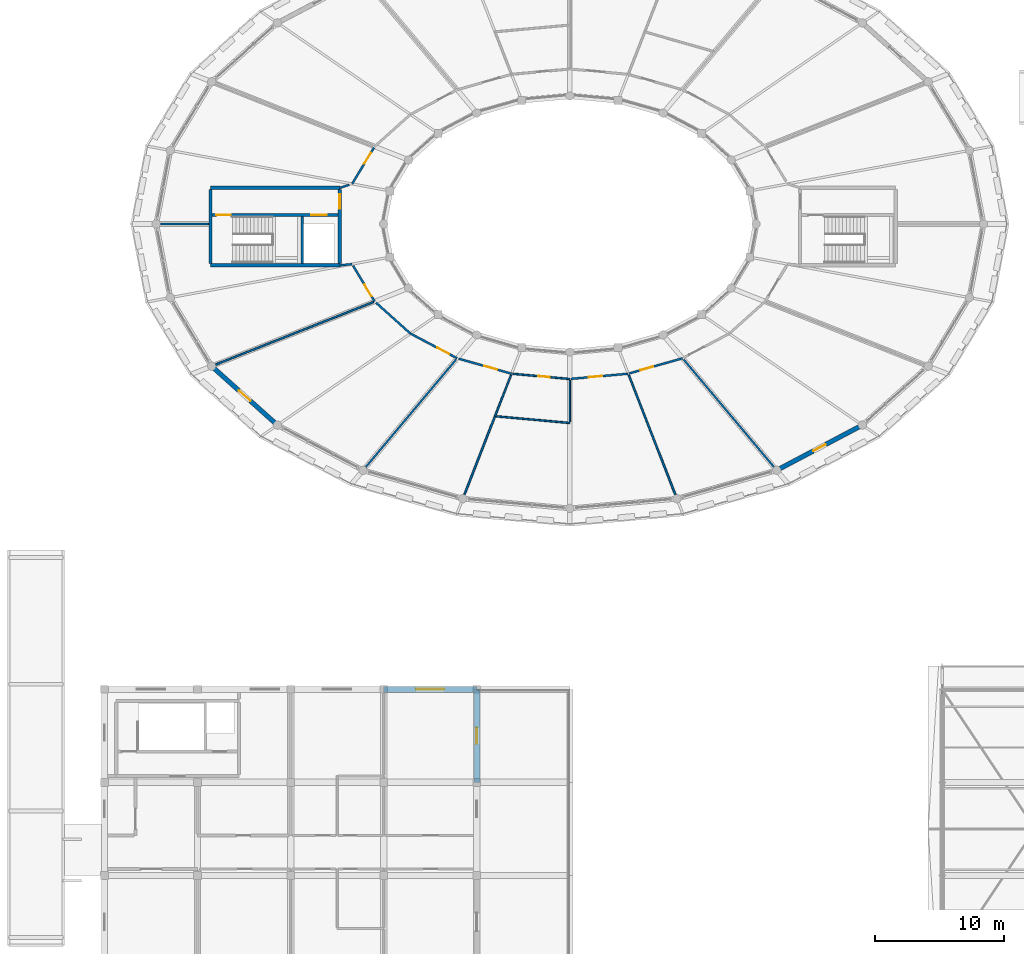
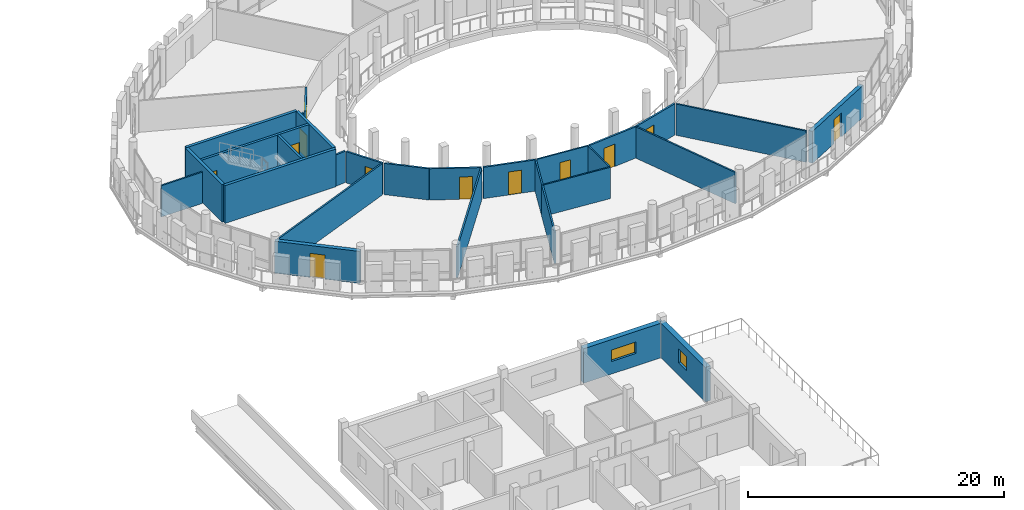
# One storey, part 76 of 93: 29 walls, 12 doors, 2 windows, 14 openings.
"""IFC4 building model written with IfcOpenShell, lengths in metres."""

from ifc_helpers import new_model, si_unit, direction, frame, frame_2d, origin, place, context, subcontext, project, spatial, rectangle, extrude, material, layer, layer_set, type_object, element, fill, save


model = new_model("IFC4")

# Units and contexts
model_context = context("Model", 3, precision=1e-05, world=origin(), true_north=direction((0.0, 1.0)))
body_context = subcontext(model_context, "Body", "Model", "MODEL_VIEW")
ifc_project = project(units=[si_unit("LENGTHUNIT", "METRE"), si_unit("AREAUNIT", "SQUARE_METRE"), si_unit("VOLUMEUNIT", "CUBIC_METRE"), si_unit("PLANEANGLEUNIT", "RADIAN"), si_unit("MASSUNIT", "GRAM", prefix="KILO")], contexts=[model_context])

# Site, building, storey
site_placement = place(None, origin())
site = spatial("IfcSite", under=ifc_project, at=site_placement, CompositionType="ELEMENT")
building_placement = place(site_placement, origin())
building = spatial("IfcBuilding", under=site, at=building_placement, Name="Zornivar Specialist Clinic", CompositionType="ELEMENT")
storey_placement = place(building_placement, frame((0.0, 0.0, 8.39990234375)))
storey = spatial("IfcBuildingStorey", under=building, at=storey_placement, Name="L02", CompositionType="ELEMENT", Elevation=8.39990234375)

# Wall, opening, door
ifc_material_1 = material(Name="Masonry Drum Limestone Portal Wall", Category="masonry")
ifc_layer_1 = layer(ifc_material_1, 0.35009765625)
ifc_layer_set_1 = layer_set([ifc_layer_1], Name="Masonry Drum Limestone Portal Wall")
wall_type_1 = type_object("IfcWallType", Name="EW-DRUM-350", PredefinedType="SOLIDWALL", material=ifc_layer_set_1)
wall_1_placement = place(storey_placement, frame((65.886962890625, 46.60009765625, 0.0), z_axis=(0.0, 0.0, 1.0), x_axis=(0.744835335723, -0.667248321585, 0.0)))
wall_1 = element("IfcWall", 1, at=wall_1_placement, inside=storey, type_object=wall_type_1, Name="ew:V1:L02:c14", PredefinedType="SOLIDWALL", context=body_context, shape_type="SweptSolid", body=[
    extrude(rectangle(XDim=6.828369140625, YDim=0.35009765625, at=frame_2d((3.4140625, 0.0))), origin(), (0.0, 0.0, 1.0), 3.050048828125),
])
opening_1_placement = place(wall_1_placement, frame((2.81396484375, 0.0, 0.0)))
opening_1 = element("IfcOpeningElement", 2, at=opening_1_placement, cuts=wall_1, Name="Opening BD-01", PredefinedType="OPENING", context=body_context, shape_type="SweptSolid", body=[
    extrude(rectangle(XDim=1.199951171875, YDim=2.300048828125, at=frame_2d((0.60009765625, 1.14990234375))), frame((0.0, 0.18505859375, 0.0), z_axis=(0.0, -1.0, 0.0), x_axis=(1.0, 0.0, 0.0)), (0.0, 0.0, 1.0), 0.3701171875),
])
ifc_material_2 = material(Name="Thermally Broken Glazed Aluminium Door", Category="aluminium")
door_type_1 = type_object("IfcDoorType", Name="BD-BALC-1200x2300", OperationType="NOTDEFINED", PredefinedType="DOOR", material=ifc_material_2)
door_1_placement = place(opening_1_placement, origin())
door_1 = element("IfcDoor", 3, at=door_1_placement, inside=storey, type_object=door_type_1, Name="door:V1:L02:c14", OperationType="SINGLE_SWING_LEFT", OverallHeight=2.300048828125, OverallWidth=1.199951171875, PredefinedType="DOOR", context=body_context, shape_type="SweptSolid", body=[
    extrude(rectangle(XDim=1.199951171875, YDim=2.300048828125, at=frame_2d((0.60009765625, 1.14990234375))), frame((0.0, 0.02490234375, 0.0), z_axis=(0.0, -1.0, 0.0), x_axis=(1.0, 0.0, 0.0)), (0.0, 0.0, 1.0), 0.050048828125),
])
fill(opening_1, door_1)

wall_2_placement = place(storey_placement, frame((109.60009765625, 38.547119140625, 0.0), z_axis=(0.0, 0.0, 1.0), x_axis=(0.884425099405, 0.466682165443, 0.0)))
wall_2 = element("IfcWall", 4, at=wall_2_placement, inside=storey, type_object=wall_type_1, Name="ew:V1:L02:c20", PredefinedType="SOLIDWALL", context=body_context, shape_type="SweptSolid", body=[
    extrude(rectangle(XDim=7.492919921875, YDim=0.35009765625, at=frame_2d((3.74658203125, 0.0))), origin(), (0.0, 0.0, 1.0), 3.050048828125),
])
opening_2_placement = place(wall_2_placement, frame((3.197021484375, 0.0, 0.0)))
opening_2 = element("IfcOpeningElement", 5, at=opening_2_placement, cuts=wall_2, Name="Opening BD-02", PredefinedType="OPENING", context=body_context, shape_type="SweptSolid", body=[
    extrude(rectangle(XDim=1.10009765625, YDim=2.300048828125, at=frame_2d((0.550048828125, 1.14990234375))), frame((0.0, 0.18505859375, 0.0), z_axis=(0.0, -1.0, 0.0), x_axis=(1.0, 0.0, 0.0)), (0.0, 0.0, 1.0), 0.3701171875),
])
ifc_material_3 = material(Name="Thermally Broken Glazed Aluminium Door", Category="aluminium")
door_type_2 = type_object("IfcDoorType", Name="BD-BALC-1100x2300", OperationType="NOTDEFINED", PredefinedType="DOOR", material=ifc_material_3)
door_2_placement = place(opening_2_placement, origin())
door_2 = element("IfcDoor", 6, at=door_2_placement, inside=storey, type_object=door_type_2, Name="door:V1:L02:c20", OperationType="SINGLE_SWING_LEFT", OverallHeight=2.300048828125, OverallWidth=1.10009765625, PredefinedType="DOOR", context=body_context, shape_type="SweptSolid", body=[
    extrude(rectangle(XDim=1.10009765625, YDim=2.300048828125, at=frame_2d((0.550048828125, 1.14990234375))), frame((0.0, 0.02490234375, 0.0), z_axis=(0.0, -1.0, 0.0), x_axis=(1.0, 0.0, 0.0)), (0.0, 0.0, 1.0), 0.050048828125),
])
fill(opening_2, door_2)

# Wall, opening, window
ifc_material_4 = material(Name="Barium-shielded concrete C35/45", Category="concrete")
ifc_layer_2 = layer(ifc_material_4, 0.4599609375)
ifc_layer_set_2 = layer_set([ifc_layer_2], Name="Barium-shielded concrete C35/45")
wall_type_2 = type_object("IfcWallType", Name="EW-IMG-SHIELD-460", PredefinedType="SOLIDWALL", material=ifc_layer_set_2)
wall_3_placement = place(storey_placement, frame((86.39990234375, 14.39990234375, 0.0), z_axis=(0.0, 0.0, 1.0), x_axis=(0.0, 1.0, 0.0)))
wall_3 = element("IfcWall", 7, at=wall_3_placement, inside=storey, type_object=wall_type_2, Name="ew:V3:L02:06", PredefinedType="SOLIDWALL", context=body_context, shape_type="SweptSolid", body=[
    extrude(rectangle(XDim=7.2001953125, YDim=0.4599609375, at=frame_2d((3.60009765625, 0.0))), origin(), (0.0, 0.0, 1.0), 3.300048828125),
])
opening_3_placement = place(wall_3_placement, frame((2.97509765625, 0.0, 1.199951171875)))
opening_3 = element("IfcOpeningElement", 8, at=opening_3_placement, cuts=wall_3, Name="Opening W-14", PredefinedType="OPENING", context=body_context, shape_type="SweptSolid", body=[
    extrude(rectangle(XDim=1.25, YDim=1.35009765625, at=frame_2d((0.625, 0.675048828125))), frame((0.0, 0.239990234375, 0.0), z_axis=(0.0, -1.0, 0.0), x_axis=(1.0, 0.0, 0.0)), (0.0, 0.0, 1.0), 0.47998046875),
])
ifc_material_5 = material(Name="Triple-Glazed Aluminium-Timber Window Glass", Category="wood")
window_type_1 = type_object("IfcWindowType", Name="WIN-IMG-CTRL-1250x1350", PartitioningType="SINGLE_PANEL", PredefinedType="WINDOW", material=ifc_material_5)
window_1_placement = place(opening_3_placement, origin())
window_1 = element("IfcWindow", 9, at=window_1_placement, inside=storey, type_object=window_type_1, Name="win:V3:L02:06", OverallHeight=1.35009765625, OverallWidth=1.25, PartitioningType="SINGLE_PANEL", PredefinedType="WINDOW", context=body_context, shape_type="SweptSolid", body=[
    extrude(rectangle(XDim=1.25, YDim=1.35009765625, at=frame_2d((0.625, 0.675048828125))), frame((0.0, 0.030029296875, 0.0), z_axis=(0.0, -1.0, 0.0), x_axis=(1.0, 0.0, 0.0)), (0.0, 0.0, 1.0), 0.06005859375),
])
fill(opening_3, window_1)

wall_4_placement = place(storey_placement, frame((86.39990234375, 21.60009765625, 0.0), z_axis=(0.0, 0.0, 1.0), x_axis=(-1.0, 0.0, 0.0)))
wall_4 = element("IfcWall", 10, at=wall_4_placement, inside=storey, type_object=wall_type_2, Name="ew:V3:L02:07", PredefinedType="SOLIDWALL", context=body_context, shape_type="SweptSolid", body=[
    extrude(rectangle(XDim=7.199951171875, YDim=0.4599609375, at=frame_2d((3.60009765625, 0.0))), origin(), (0.0, 0.0, 1.0), 3.300048828125),
])
opening_4_placement = place(wall_4_placement, frame((2.5, 0.0, 1.199951171875)))
opening_4 = element("IfcOpeningElement", 11, at=opening_4_placement, cuts=wall_4, Name="Opening W-13", PredefinedType="OPENING", context=body_context, shape_type="SweptSolid", body=[
    extrude(rectangle(XDim=2.199951171875, YDim=1.10009765625, at=frame_2d((1.10009765625, 0.550048828125))), frame((0.0, 0.239990234375, 0.0), z_axis=(0.0, -1.0, 0.0), x_axis=(1.0, 0.0, 0.0)), (0.0, 0.0, 1.0), 0.47998046875),
])
ifc_material_6 = material(Name="Triple-Glazed Aluminium-Timber Window Glass", Category="wood")
window_type_2 = type_object("IfcWindowType", Name="WIN-IMG-CLER-2200x1100", PartitioningType="SINGLE_PANEL", PredefinedType="WINDOW", material=ifc_material_6)
window_2_placement = place(opening_4_placement, origin())
window_2 = element("IfcWindow", 12, at=window_2_placement, inside=storey, type_object=window_type_2, Name="win:V3:L02:07", OverallHeight=1.10009765625, OverallWidth=2.199951171875, PartitioningType="SINGLE_PANEL", PredefinedType="WINDOW", context=body_context, shape_type="SweptSolid", body=[
    extrude(rectangle(XDim=2.199951171875, YDim=1.10009765625, at=frame_2d((1.10009765625, 0.550048828125))), frame((0.0, 0.030029296875, 0.0), z_axis=(0.0, -1.0, 0.0), x_axis=(1.0, 0.0, 0.0)), (0.0, 0.0, 1.0), 0.06005859375),
])
fill(opening_4, window_2)

# Walls
ifc_material_7 = material(Name="Acoustic Clinical Stud Partition")
ifc_layer_3 = layer(ifc_material_7, 0.139892578125)
ifc_layer_set_3 = layer_set([ifc_layer_3], Name="Acoustic Clinical Stud Partition")
wall_type_3 = type_object("IfcWallType", Name="IW-CLIN-140", PredefinedType="PARTITIONING", material=ifc_layer_set_3)
wall_5_placement = place(storey_placement, frame((65.655029296875, 57.60009765625, 0.0), z_axis=(0.0, 0.0, 1.0), x_axis=(-1.0, 0.0, 0.0)))
element("IfcWall", 13, at=wall_5_placement, inside=storey, type_object=wall_type_3, Name="iw:L02:023", PredefinedType="PARTITIONING", context=body_context, shape_type="SweptSolid", body=[
    extrude(rectangle(XDim=3.719970703125, YDim=0.139892578125, at=frame_2d((1.85986328125, 0.0))), origin(), (0.0, 0.0, 1.0), 2.989990234375),
])
wall_6_placement = place(storey_placement, frame((78.39697265625, 51.56591796875, 0.0), z_axis=(0.0, 0.0, 1.0), x_axis=(-0.929434419676, -0.368987343309, 0.0)))
element("IfcWall", 14, at=wall_6_placement, inside=storey, type_object=wall_type_3, Name="iw:L02:028", PredefinedType="PARTITIONING", context=body_context, shape_type="SweptSolid", body=[
    extrude(rectangle(XDim=13.125244140625, YDim=0.139892578125, at=frame_2d((6.5625, 0.0))), origin(), (0.0, 0.0, 1.0), 2.989990234375),
])
wall_7_placement = place(storey_placement, frame((84.80810546875, 47.131103515625, 0.0), z_axis=(0.0, 0.0, 1.0), x_axis=(-0.643103623671, -0.765779164787, 0.0)))
element("IfcWall", 15, at=wall_7_placement, inside=storey, type_object=wall_type_3, Name="iw:L02:031", PredefinedType="PARTITIONING", context=body_context, shape_type="SweptSolid", body=[
    extrude(rectangle(XDim=10.8740234375, YDim=0.139892578125, at=frame_2d((5.43701171875, 0.0))), origin(), (0.0, 0.0, 1.0), 2.989990234375),
])
wall_8_placement = place(storey_placement, frame((87.801025390625, 42.720947265625, 0.0), z_axis=(0.0, 0.0, 1.0), x_axis=(-0.363096615432, -0.931751494693, 0.0)))
element("IfcWall", 16, at=wall_8_placement, inside=storey, type_object=wall_type_3, Name="iw:L02:034", PredefinedType="PARTITIONING", context=body_context, shape_type="SweptSolid", body=[
    extrude(rectangle(XDim=6.502685546875, YDim=0.139892578125, at=frame_2d((3.25146484375, 0.0))), origin(), (0.0, 0.0, 1.0), 2.989990234375),
])
wall_9_placement = place(storey_placement, frame((98.156982421875, 45.908935546875, 0.0), z_axis=(0.0, 0.0, 1.0), x_axis=(0.363062329485, -0.931764854944, 0.0)))
element("IfcWall", 17, at=wall_9_placement, inside=storey, type_object=wall_type_3, Name="iw:L02:039", PredefinedType="PARTITIONING", context=body_context, shape_type="SweptSolid", body=[
    extrude(rectangle(XDim=9.924072265625, YDim=0.139892578125, at=frame_2d((4.9619140625, 0.0))), origin(), (0.0, 0.0, 1.0), 2.989990234375),
])
wall_10_placement = place(storey_placement, frame((102.406005859375, 47.113037109375, 0.0), z_axis=(0.0, 0.0, 1.0), x_axis=(0.643158316092, -0.765733230598, 0.0)))
element("IfcWall", 18, at=wall_10_placement, inside=storey, type_object=wall_type_3, Name="iw:L02:041", PredefinedType="PARTITIONING", context=body_context, shape_type="SweptSolid", body=[
    extrude(rectangle(XDim=10.85107421875, YDim=0.139892578125, at=frame_2d((5.425537109375, 0.0))), origin(), (0.0, 0.0, 1.0), 2.989990234375),
])

# Wall, opening, door
ifc_material_8 = material(Name="Gypsum Fire-Rated Double Stud Partition")
ifc_layer_4 = layer(ifc_material_8, 0.159912109375)
ifc_layer_set_4 = layer_set([ifc_layer_4], Name="Gypsum Fire-Rated Double Stud Partition")
wall_type_4 = type_object("IfcWallType", Name="IW-CORR-EI60-160", PredefinedType="PARTITIONING", material=ifc_layer_set_4)
wall_11_placement = place(storey_placement, frame((78.445068359375, 63.510986328125, 0.0), z_axis=(0.0, 0.0, 1.0), x_axis=(-0.515907945316, -0.856644028731, 0.0)))
wall_11 = element("IfcWall", 19, at=wall_11_placement, inside=storey, type_object=wall_type_4, Name="iw:L02:024", PredefinedType="PARTITIONING", context=body_context, shape_type="SweptSolid", body=[
    extrude(rectangle(XDim=3.278076171875, YDim=0.159912109375, at=frame_2d((1.63916015625, 0.0))), origin(), (0.0, 0.0, 1.0), 2.989990234375),
])
opening_5_placement = place(wall_11_placement, frame((0.47998046875, 0.0, 0.0)))
opening_5 = element("IfcOpeningElement", 20, at=opening_5_placement, cuts=wall_11, Name="Opening ID-09", PredefinedType="OPENING", context=body_context, shape_type="SweptSolid", body=[
    extrude(rectangle(XDim=0.97998046875, YDim=2.14990234375, at=frame_2d((0.489990234375, 1.074951171875))), frame((0.0, 0.08984375, 0.0), z_axis=(0.0, -1.0, 0.0), x_axis=(1.0, 0.0, 0.0)), (0.0, 0.0, 1.0), 0.179931640625),
])
ifc_material_9 = material(Name="Solid-Core Hygienic Laminate Timber Door", Category="wood")
door_type_3 = type_object("IfcDoorType", Name="ID-STAFF-0980x2150", OperationType="NOTDEFINED", PredefinedType="DOOR", material=ifc_material_9)
door_3_placement = place(opening_5_placement, origin())
door_3 = element("IfcDoor", 21, at=door_3_placement, inside=storey, type_object=door_type_3, Name="door:space:V1:L02:rm:08", OperationType="SINGLE_SWING_RIGHT", OverallHeight=2.14990234375, OverallWidth=0.97998046875, PredefinedType="DOOR", context=body_context, shape_type="SweptSolid", body=[
    extrude(rectangle(XDim=0.97998046875, YDim=2.14990234375, at=frame_2d((0.489990234375, 1.074951171875))), frame((0.0, 0.02490234375, 0.0), z_axis=(0.0, -1.0, 0.0), x_axis=(1.0, 0.0, 0.0)), (0.0, 0.0, 1.0), 0.050048828125),
])
fill(opening_5, door_3)

# Walls
wall_12_placement = place(storey_placement, frame((76.531982421875, 60.632080078125, 0.0), z_axis=(0.0, 0.0, 1.0), x_axis=(-0.953192648892, -0.302363645463, 0.0)))
element("IfcWall", 22, at=wall_12_placement, inside=storey, type_object=wall_type_4, Name="iw:L02:025", PredefinedType="PARTITIONING", context=body_context, shape_type="SweptSolid", body=[
    extrude(rectangle(XDim=0.767822265625, YDim=0.159912109375, at=frame_2d((0.3837890625, 0.0))), origin(), (0.0, 0.0, 1.0), 2.989990234375),
])
wall_13_placement = place(storey_placement, frame((75.800048828125, 54.39990234375, 0.0), z_axis=(0.0, 0.0, 1.0), x_axis=(0.994851446462, 0.101343966136, 0.0)))
element("IfcWall", 23, at=wall_13_placement, inside=storey, type_object=wall_type_4, Name="iw:L02:026", PredefinedType="PARTITIONING", context=body_context, shape_type="SweptSolid", body=[
    extrude(rectangle(XDim=0.958740234375, YDim=0.159912109375, at=frame_2d((0.4794921875, 0.0))), origin(), (0.0, 0.0, 1.0), 2.989990234375),
])

# Wall, opening, door
wall_14_placement = place(storey_placement, frame((76.826904296875, 54.3759765625, 0.0), z_axis=(0.0, 0.0, 1.0), x_axis=(0.515993285702, -0.85659262728, 0.0)))
wall_14 = element("IfcWall", 24, at=wall_14_placement, inside=storey, type_object=wall_type_4, Name="iw:L02:027", PredefinedType="PARTITIONING", context=body_context, shape_type="SweptSolid", body=[
    extrude(rectangle(XDim=3.23486328125, YDim=0.159912109375, at=frame_2d((1.617431640625, 0.0))), origin(), (0.0, 0.0, 1.0), 2.989990234375),
])
opening_6_placement = place(wall_14_placement, frame((1.705078125, 0.0, 0.0)))
opening_6 = element("IfcOpeningElement", 25, at=opening_6_placement, cuts=wall_14, Name="Opening ID-03", PredefinedType="OPENING", context=body_context, shape_type="SweptSolid", body=[
    extrude(rectangle(XDim=1.050048828125, YDim=2.14990234375, at=frame_2d((0.52490234375, 1.074951171875))), frame((0.0, 0.08984375, 0.0), z_axis=(0.0, -1.0, 0.0), x_axis=(1.0, 0.0, 0.0)), (0.0, 0.0, 1.0), 0.179931640625),
])
ifc_material_10 = material(Name="Solid-Core Hygienic Laminate Timber Door", Category="wood")
door_type_4 = type_object("IfcDoorType", Name="ID-CONS-1050x2150", OperationType="NOTDEFINED", PredefinedType="DOOR", material=ifc_material_10)
door_4_placement = place(opening_6_placement, origin())
door_4 = element("IfcDoor", 26, at=door_4_placement, inside=storey, type_object=door_type_4, Name="door:space:V1:L02:rm:09", OperationType="SINGLE_SWING_LEFT", OverallHeight=2.14990234375, OverallWidth=1.050048828125, PredefinedType="DOOR", context=body_context, shape_type="SweptSolid", body=[
    extrude(rectangle(XDim=1.050048828125, YDim=2.14990234375, at=frame_2d((0.52490234375, 1.074951171875))), frame((0.0, 0.02490234375, 0.0), z_axis=(0.0, -1.0, 0.0), x_axis=(1.0, 0.0, 0.0)), (0.0, 0.0, 1.0), 0.050048828125),
])
fill(opening_6, door_4)

# Wall
wall_15_placement = place(storey_placement, frame((78.595947265625, 51.51611328125, 0.0), z_axis=(0.0, 0.0, 1.0), x_axis=(0.744797991907, -0.667290005358, 0.0)))
element("IfcWall", 27, at=wall_15_placement, inside=storey, type_object=wall_type_4, Name="iw:L02:029", PredefinedType="PARTITIONING", context=body_context, shape_type="SweptSolid", body=[
    extrude(rectangle(XDim=3.587646484375, YDim=0.159912109375, at=frame_2d((1.7939453125, 0.0))), origin(), (0.0, 0.0, 1.0), 2.989990234375),
])

# Wall, opening, door
wall_16_placement = place(storey_placement, frame((81.279052734375, 49.115966796875, 0.0), z_axis=(0.0, 0.0, 1.0), x_axis=(0.884439067329, -0.4666556934, 0.0)))
wall_16 = element("IfcWall", 28, at=wall_16_placement, inside=storey, type_object=wall_type_4, Name="iw:L02:030", PredefinedType="PARTITIONING", context=body_context, shape_type="SweptSolid", body=[
    extrude(rectangle(XDim=4.0712890625, YDim=0.159912109375, at=frame_2d((2.03564453125, 0.0))), origin(), (0.0, 0.0, 1.0), 2.989990234375),
])
opening_7_placement = place(wall_16_placement, frame((2.3349609375, 0.0, 0.0)))
opening_7 = element("IfcOpeningElement", 29, at=opening_7_placement, cuts=wall_16, Name="Opening ID-03", PredefinedType="OPENING", context=body_context, shape_type="SweptSolid", body=[
    extrude(rectangle(XDim=1.050048828125, YDim=2.14990234375, at=frame_2d((0.52490234375, 1.074951171875))), frame((0.0, 0.08984375, 0.0), z_axis=(0.0, -1.0, 0.0), x_axis=(1.0, 0.0, 0.0)), (0.0, 0.0, 1.0), 0.179931640625),
])
door_5_placement = place(opening_7_placement, origin())
door_5 = element("IfcDoor", 30, at=door_5_placement, inside=storey, type_object=door_type_4, Name="door:space:V1:L02:rm:10", OperationType="SINGLE_SWING_RIGHT", OverallHeight=2.14990234375, OverallWidth=1.050048828125, PredefinedType="DOOR", context=body_context, shape_type="SweptSolid", body=[
    extrude(rectangle(XDim=1.050048828125, YDim=2.14990234375, at=frame_2d((0.52490234375, 1.074951171875))), frame((0.0, 0.02490234375, 0.0), z_axis=(0.0, -1.0, 0.0), x_axis=(1.0, 0.0, 0.0)), (0.0, 0.0, 1.0), 0.050048828125),
])
fill(opening_7, door_5)

wall_17_placement = place(storey_placement, frame((85.0029296875, 47.180908203125, 0.0), z_axis=(0.0, 0.0, 1.0), x_axis=(0.961816382147, -0.273695537111, 0.0)))
wall_17 = element("IfcWall", 31, at=wall_17_placement, inside=storey, type_object=wall_type_4, Name="iw:L02:032", PredefinedType="PARTITIONING", context=body_context, shape_type="SweptSolid", body=[
    extrude(rectangle(XDim=4.2451171875, YDim=0.159912109375, at=frame_2d((2.12255859375, 0.0))), origin(), (0.0, 0.0, 1.0), 2.989990234375),
])
opening_8_placement = place(wall_17_placement, frame((2.044921875, 0.0, 0.0)))
opening_8 = element("IfcOpeningElement", 32, at=opening_8_placement, cuts=wall_17, Name="Opening ID-15", PredefinedType="OPENING", context=body_context, shape_type="SweptSolid", body=[
    extrude(rectangle(XDim=1.050048828125, YDim=2.199951171875, at=frame_2d((0.52490234375, 1.10009765625))), frame((0.0, 0.08984375, 0.0), z_axis=(0.0, -1.0, 0.0), x_axis=(1.0, 0.0, 0.0)), (0.0, 0.0, 1.0), 0.179931640625),
])
ifc_material_11 = material(Name="Solid-Core Hygienic Laminate Timber Door", Category="wood")
door_type_5 = type_object("IfcDoorType", Name="ID-COUNS-1050x2200", OperationType="NOTDEFINED", PredefinedType="DOOR", material=ifc_material_11)
door_6_placement = place(opening_8_placement, origin())
door_6 = element("IfcDoor", 33, at=door_6_placement, inside=storey, type_object=door_type_5, Name="door:space:V1:L02:rm:11", OperationType="SINGLE_SWING_LEFT", OverallHeight=2.199951171875, OverallWidth=1.050048828125, PredefinedType="DOOR", context=body_context, shape_type="SweptSolid", body=[
    extrude(rectangle(XDim=1.050048828125, YDim=2.199951171875, at=frame_2d((0.52490234375, 1.10009765625))), frame((0.0, 0.02490234375, 0.0), z_axis=(0.0, -1.0, 0.0), x_axis=(1.0, 0.0, 0.0)), (0.0, 0.0, 1.0), 0.050048828125),
])
fill(opening_8, door_6)

wall_18_placement = place(storey_placement, frame((93.68603515625, 45.617919921875, 0.0), z_axis=(0.0, 0.0, 1.0), x_axis=(0.995921961863, 0.090218877617, 0.0)))
wall_18 = element("IfcWall", 34, at=wall_18_placement, inside=storey, type_object=wall_type_4, Name="iw:L02:038", PredefinedType="PARTITIONING", context=body_context, shape_type="SweptSolid", body=[
    extrude(rectangle(XDim=4.446044921875, YDim=0.159912109375, at=frame_2d((2.22314453125, 0.0))), origin(), (0.0, 0.0, 1.0), 2.989990234375),
])
opening_9_placement = place(wall_18_placement, frame((1.365966796875, 0.0, 0.0)))
opening_9 = element("IfcOpeningElement", 35, at=opening_9_placement, cuts=wall_18, Name="Opening ID-03", PredefinedType="OPENING", context=body_context, shape_type="SweptSolid", body=[
    extrude(rectangle(XDim=1.050048828125, YDim=2.14990234375, at=frame_2d((0.52490234375, 1.074951171875))), frame((0.0, 0.08984375, 0.0), z_axis=(0.0, -1.0, 0.0), x_axis=(1.0, 0.0, 0.0)), (0.0, 0.0, 1.0), 0.179931640625),
])
door_7_placement = place(opening_9_placement, origin())
door_7 = element("IfcDoor", 36, at=door_7_placement, inside=storey, type_object=door_type_4, Name="door:space:V1:L02:rm:13", OperationType="SINGLE_SWING_LEFT", OverallHeight=2.14990234375, OverallWidth=1.050048828125, PredefinedType="DOOR", context=body_context, shape_type="SweptSolid", body=[
    extrude(rectangle(XDim=1.050048828125, YDim=2.14990234375, at=frame_2d((0.52490234375, 1.074951171875))), frame((0.0, 0.02490234375, 0.0), z_axis=(0.0, -1.0, 0.0), x_axis=(1.0, 0.0, 0.0)), (0.0, 0.0, 1.0), 0.050048828125),
])
fill(opening_9, door_7)

wall_19_placement = place(storey_placement, frame((98.201904296875, 46.0439453125, 0.0), z_axis=(0.0, 0.0, 1.0), x_axis=(0.961801022368, 0.273749508441, 0.0)))
wall_19 = element("IfcWall", 37, at=wall_19_placement, inside=storey, type_object=wall_type_4, Name="iw:L02:040", PredefinedType="PARTITIONING", context=body_context, shape_type="SweptSolid", body=[
    extrude(rectangle(XDim=4.28173828125, YDim=0.159912109375, at=frame_2d((2.140869140625, 0.0))), origin(), (0.0, 0.0, 1.0), 2.989990234375),
])
opening_10_placement = place(wall_19_placement, frame((0.902099609375, 0.0, 0.0)))
opening_10 = element("IfcOpeningElement", 38, at=opening_10_placement, cuts=wall_19, Name="Opening ID-04", PredefinedType="OPENING", context=body_context, shape_type="SweptSolid", body=[
    extrude(rectangle(XDim=1.0, YDim=2.14990234375, at=frame_2d((0.5, 1.074951171875))), frame((0.0, 0.08984375, 0.0), z_axis=(0.0, -1.0, 0.0), x_axis=(1.0, 0.0, 0.0)), (0.0, 0.0, 1.0), 0.179931640625),
])
ifc_material_12 = material(Name="Solid-Core Hygienic Laminate Timber Door", Category="wood")
door_type_6 = type_object("IfcDoorType", Name="ID-EXAM-1000x2150", OperationType="NOTDEFINED", PredefinedType="DOOR", material=ifc_material_12)
door_8_placement = place(opening_10_placement, origin())
door_8 = element("IfcDoor", 39, at=door_8_placement, inside=storey, type_object=door_type_6, Name="door:space:V1:L02:rm:14", OperationType="SINGLE_SWING_RIGHT", OverallHeight=2.14990234375, OverallWidth=1.0, PredefinedType="DOOR", context=body_context, shape_type="SweptSolid", body=[
    extrude(rectangle(XDim=1.0, YDim=2.14990234375, at=frame_2d((0.5, 1.074951171875))), frame((0.0, 0.02490234375, 0.0), z_axis=(0.0, -1.0, 0.0), x_axis=(1.0, 0.0, 0.0)), (0.0, 0.0, 1.0), 0.050048828125),
])
fill(opening_10, door_8)

# Walls
ifc_material_13 = material(Name="Moisture-Resistant Sanitary Partition")
ifc_layer_5 = layer(ifc_material_13, 0.1298828125)
ifc_layer_set_5 = layer_set([ifc_layer_5], Name="Moisture-Resistant Sanitary Partition")
wall_type_5 = type_object("IfcWallType", Name="IW-WET-130", PredefinedType="PARTITIONING", material=ifc_layer_set_5)
wall_20_placement = place(storey_placement, frame((89.049072265625, 45.925048828125, 0.0), z_axis=(0.0, 0.0, 1.0), x_axis=(-0.36304782486, -0.931770506543, 0.0)))
element("IfcWall", 40, at=wall_20_placement, inside=storey, type_object=wall_type_5, Name="iw:L02:033", PredefinedType="PARTITIONING", context=body_context, shape_type="SweptSolid", body=[
    extrude(rectangle(XDim=3.427001953125, YDim=0.1298828125, at=frame_2d((1.71337890625, 0.0))), origin(), (0.0, 0.0, 1.0), 2.989990234375),
])
wall_21_placement = place(storey_placement, frame((93.60009765625, 42.20703125, 0.0), z_axis=(0.0, 0.0, 1.0), x_axis=(-0.995929558444, 0.090134979992, 0.0)))
element("IfcWall", 41, at=wall_21_placement, inside=storey, type_object=wall_type_5, Name="iw:L02:035", PredefinedType="PARTITIONING", context=body_context, shape_type="SweptSolid", body=[
    extrude(rectangle(XDim=5.71240234375, YDim=0.1298828125, at=frame_2d((2.856201171875, 0.0))), origin(), (0.0, 0.0, 1.0), 2.989990234375),
])

# Wall, opening, door
wall_22_placement = place(storey_placement, frame((89.18701171875, 46.010009765625, 0.0), z_axis=(0.0, 0.0, 1.0), x_axis=(0.995919358075, -0.090247616095, 0.0)))
wall_22 = element("IfcWall", 42, at=wall_22_placement, inside=storey, type_object=wall_type_5, Name="iw:L02:036", PredefinedType="PARTITIONING", context=body_context, shape_type="SweptSolid", body=[
    extrude(rectangle(XDim=4.43115234375, YDim=0.1298828125, at=frame_2d((2.215576171875, 0.0))), origin(), (0.0, 0.0, 1.0), 2.989990234375),
])
opening_11_placement = place(wall_22_placement, frame((1.97998046875, 0.0, 0.0)))
opening_11 = element("IfcOpeningElement", 43, at=opening_11_placement, cuts=wall_22, Name="Opening ID-08", PredefinedType="OPENING", context=body_context, shape_type="SweptSolid", body=[
    extrude(rectangle(XDim=0.89990234375, YDim=2.10009765625, at=frame_2d((0.449951171875, 1.050048828125))), frame((0.0, 0.074951171875, 0.0), z_axis=(0.0, -1.0, 0.0), x_axis=(1.0, 0.0, 0.0)), (0.0, 0.0, 1.0), 0.14990234375),
])
ifc_material_14 = material(Name="Solid-Core Hygienic Laminate Timber Door", Category="wood")
door_type_7 = type_object("IfcDoorType", Name="ID-WC-STD-0900x2100", OperationType="NOTDEFINED", PredefinedType="DOOR", material=ifc_material_14)
door_9_placement = place(opening_11_placement, origin())
door_9 = element("IfcDoor", 44, at=door_9_placement, inside=storey, type_object=door_type_7, Name="door:space:V1:L02:rm:12", OperationType="SINGLE_SWING_RIGHT", OverallHeight=2.10009765625, OverallWidth=0.89990234375, PredefinedType="DOOR", context=body_context, shape_type="SweptSolid", body=[
    extrude(rectangle(XDim=0.89990234375, YDim=2.10009765625, at=frame_2d((0.449951171875, 1.050048828125))), frame((0.0, 0.02490234375, 0.0), z_axis=(0.0, -1.0, 0.0), x_axis=(1.0, 0.0, 0.0)), (0.0, 0.0, 1.0), 0.050048828125),
])
fill(opening_11, door_9)

# Walls
wall_23_placement = place(storey_placement, frame((93.60009765625, 45.52490234375, 0.0), z_axis=(0.0, 0.0, 1.0), x_axis=(0.0, -1.0, 0.0)))
element("IfcWall", 45, at=wall_23_placement, inside=storey, type_object=wall_type_5, Name="iw:L02:037", PredefinedType="PARTITIONING", context=body_context, shape_type="SweptSolid", body=[
    extrude(rectangle(XDim=3.23291015625, YDim=0.1298828125, at=frame_2d((1.616455078125, 0.0))), origin(), (0.0, 0.0, 1.0), 2.989990234375),
])
ifc_material_15 = material(Name="Concrete C35/45", Category="concrete")
ifc_layer_6 = layer(ifc_material_15, 0.260009765625)
ifc_layer_set_6 = layer_set([ifc_layer_6], Name="Concrete C35/45")
wall_type_6 = type_object("IfcWallType", Name="SW-CORE-260", PredefinedType="SHEAR", material=ifc_layer_set_6)
wall_24_placement = place(storey_placement, frame((65.800048828125, 54.39990234375, 0.0), z_axis=(0.0, 0.0, 1.0), x_axis=(1.0, 0.0, 0.0)))
element("IfcWall", 46, at=wall_24_placement, inside=storey, type_object=wall_type_6, Name="sw:C3:L02:w0", PredefinedType="SHEAR", context=body_context, shape_type="SweptSolid", body=[
    extrude(rectangle(XDim=10.0, YDim=0.260009765625, at=frame_2d((5.0, 0.0))), origin(), (0.0, 0.0, 1.0), 3.610107421875),
])

# Wall, opening, door
wall_25_placement = place(storey_placement, frame((75.800048828125, 54.530029296875, 0.0), z_axis=(0.0, 0.0, 1.0), x_axis=(0.0, 1.0, 0.0)))
wall_25 = element("IfcWall", 47, at=wall_25_placement, inside=storey, type_object=wall_type_6, Name="sw:C3:L02:w1", PredefinedType="SHEAR", context=body_context, shape_type="SweptSolid", body=[
    extrude(rectangle(XDim=5.739990234375, YDim=0.260009765625, at=frame_2d((2.8701171875, 0.0))), origin(), (0.0, 0.0, 1.0), 3.610107421875),
])
opening_12_placement = place(wall_25_placement, frame((4.239990234375, 0.0, 0.0)))
opening_12 = element("IfcOpeningElement", 48, at=opening_12_placement, cuts=wall_25, Name="Opening FD-03", PredefinedType="OPENING", context=body_context, shape_type="SweptSolid", body=[
    extrude(rectangle(XDim=1.14990234375, YDim=2.199951171875, at=frame_2d((0.574951171875, 1.10009765625))), frame((0.0, 0.139892578125, 0.0), z_axis=(0.0, -1.0, 0.0), x_axis=(1.0, 0.0, 0.0)), (0.0, 0.0, 1.0), 0.280029296875),
])
ifc_material_16 = material(Name="Solid-Core Hygienic Laminate Timber Door", Category="wood")
door_type_8 = type_object("IfcDoorType", Name="FD-LOBBY-UPPER-1150x2200", OperationType="NOTDEFINED", PredefinedType="DOOR", material=ifc_material_16)
door_10_placement = place(opening_12_placement, origin())
door_10 = element("IfcDoor", 49, at=door_10_placement, inside=storey, type_object=door_type_8, Name="door:C3:L02:lob", OperationType="SINGLE_SWING_RIGHT", OverallHeight=2.199951171875, OverallWidth=1.14990234375, PredefinedType="DOOR", context=body_context, shape_type="SweptSolid", body=[
    extrude(rectangle(XDim=1.14990234375, YDim=2.199951171875, at=frame_2d((0.574951171875, 1.10009765625))), frame((0.0, 0.02490234375, 0.0), z_axis=(0.0, -1.0, 0.0), x_axis=(1.0, 0.0, 0.0)), (0.0, 0.0, 1.0), 0.050048828125),
])
fill(opening_12, door_10)

# Walls
wall_26_placement = place(storey_placement, frame((75.800048828125, 60.39990234375, 0.0), z_axis=(0.0, 0.0, 1.0), x_axis=(-1.0, 0.0, 0.0)))
element("IfcWall", 50, at=wall_26_placement, inside=storey, type_object=wall_type_6, Name="sw:C3:L02:w2", PredefinedType="SHEAR", context=body_context, shape_type="SweptSolid", body=[
    extrude(rectangle(XDim=10.0, YDim=0.260009765625, at=frame_2d((5.0, 0.0))), origin(), (0.0, 0.0, 1.0), 3.610107421875),
])
wall_27_placement = place(storey_placement, frame((65.800048828125, 60.27001953125, 0.0), z_axis=(0.0, 0.0, 1.0), x_axis=(0.0, -1.0, 0.0)))
element("IfcWall", 51, at=wall_27_placement, inside=storey, type_object=wall_type_6, Name="sw:C3:L02:w3", PredefinedType="SHEAR", context=body_context, shape_type="SweptSolid", body=[
    extrude(rectangle(XDim=5.739990234375, YDim=0.260009765625, at=frame_2d((2.8701171875, 0.0))), origin(), (0.0, 0.0, 1.0), 3.610107421875),
])
ifc_material_17 = material(Name="Concrete C30/37", Category="concrete")
ifc_layer_7 = layer(ifc_material_17, 0.199951171875)
ifc_layer_set_7 = layer_set([ifc_layer_7], Name="Concrete C30/37")
wall_type_7 = type_object("IfcWallType", Name="SW-LIFT-200", PredefinedType="SHEAR", material=ifc_layer_set_7)
wall_28_placement = place(storey_placement, frame((72.89990234375, 54.530029296875, 0.0), z_axis=(0.0, 0.0, 1.0), x_axis=(0.0, 1.0, 0.0)))
element("IfcWall", 52, at=wall_28_placement, inside=storey, type_object=wall_type_7, Name="sw:C3:L02:sdiv", PredefinedType="SHEAR", context=body_context, shape_type="SweptSolid", body=[
    extrude(rectangle(XDim=3.669921875, YDim=0.199951171875, at=frame_2d((1.8349609375, 0.0))), origin(), (0.0, 0.0, 1.0), 3.610107421875),
])

# Wall, openings, doors
ifc_material_18 = material(Name="Concrete C30/37", Category="concrete")
ifc_layer_8 = layer(ifc_material_18, 0.219970703125)
ifc_layer_set_8 = layer_set([ifc_layer_8], Name="Concrete C30/37")
wall_type_8 = type_object("IfcWallType", Name="SW-SHAFT-220", PredefinedType="SHEAR", material=ifc_layer_set_8)
wall_29_placement = place(storey_placement, frame((65.929931640625, 58.31005859375, 0.0), z_axis=(0.0, 0.0, 1.0), x_axis=(1.0, 0.0, 0.0)))
wall_29 = element("IfcWall", 53, at=wall_29_placement, inside=storey, type_object=wall_type_8, Name="sw:C3:L02:stwall", PredefinedType="SHEAR", context=body_context, shape_type="SweptSolid", body=[
    extrude(rectangle(XDim=9.739990234375, YDim=0.219970703125, at=frame_2d((4.8701171875, 0.0))), origin(), (0.0, 0.0, 1.0), 3.610107421875),
])
opening_13_placement = place(wall_29_placement, frame((0.320068359375, 0.0, 0.0)))
opening_13 = element("IfcOpeningElement", 54, at=opening_13_placement, cuts=wall_29, Name="Opening FD-02", PredefinedType="OPENING", context=body_context, shape_type="SweptSolid", body=[
    extrude(rectangle(XDim=1.10009765625, YDim=2.14990234375, at=frame_2d((0.550048828125, 1.074951171875))), frame((0.0, 0.119873046875, 0.0), z_axis=(0.0, -1.0, 0.0), x_axis=(1.0, 0.0, 0.0)), (0.0, 0.0, 1.0), 0.239990234375),
])
opening_14_placement = place(wall_29_placement, frame((7.669921875, 0.0, 0.0)))
opening_14 = element("IfcOpeningElement", 55, at=opening_14_placement, cuts=wall_29, Name="Opening LD-01", PredefinedType="OPENING", context=body_context, shape_type="SweptSolid", body=[
    extrude(rectangle(XDim=1.199951171875, YDim=2.199951171875, at=frame_2d((0.60009765625, 1.10009765625))), frame((0.0, 0.119873046875, 0.0), z_axis=(0.0, -1.0, 0.0), x_axis=(1.0, 0.0, 0.0)), (0.0, 0.0, 1.0), 0.239990234375),
])
ifc_material_19 = material(Name="Solid-Core Hygienic Laminate Timber Door", Category="wood")
door_type_9 = type_object("IfcDoorType", Name="FD-STAIR-1100x2150", OperationType="NOTDEFINED", PredefinedType="DOOR", material=ifc_material_19)
door_11_placement = place(opening_13_placement, origin())
door_11 = element("IfcDoor", 56, at=door_11_placement, inside=storey, type_object=door_type_9, Name="door:C3:L02:stair", OperationType="SINGLE_SWING_LEFT", OverallHeight=2.14990234375, OverallWidth=1.10009765625, PredefinedType="DOOR", context=body_context, shape_type="SweptSolid", body=[
    extrude(rectangle(XDim=1.10009765625, YDim=2.14990234375, at=frame_2d((0.550048828125, 1.074951171875))), frame((0.0, 0.02490234375, 0.0), z_axis=(0.0, -1.0, 0.0), x_axis=(1.0, 0.0, 0.0)), (0.0, 0.0, 1.0), 0.050048828125),
])
fill(opening_13, door_11)
ifc_material_20 = material(Name="Stainless Steel Lift Landing Sliding Door", Category="steel")
door_type_10 = type_object("IfcDoorType", Name="LD-LIFT-1200x2200", OperationType="NOTDEFINED", PredefinedType="DOOR", material=ifc_material_20)
door_12_placement = place(opening_14_placement, origin())
door_12 = element("IfcDoor", 57, at=door_12_placement, inside=storey, type_object=door_type_10, Name="door:C3:L02:lift", OperationType="DOUBLE_DOOR_SLIDING", OverallHeight=2.199951171875, OverallWidth=1.199951171875, PredefinedType="DOOR", context=body_context, shape_type="SweptSolid", body=[
    extrude(rectangle(XDim=1.199951171875, YDim=2.199951171875, at=frame_2d((0.60009765625, 1.10009765625))), frame((0.0, 0.02490234375, 0.0), z_axis=(0.0, -1.0, 0.0), x_axis=(1.0, 0.0, 0.0)), (0.0, 0.0, 1.0), 0.050048828125),
])
fill(opening_14, door_12)

save(model, "model.ifc")
